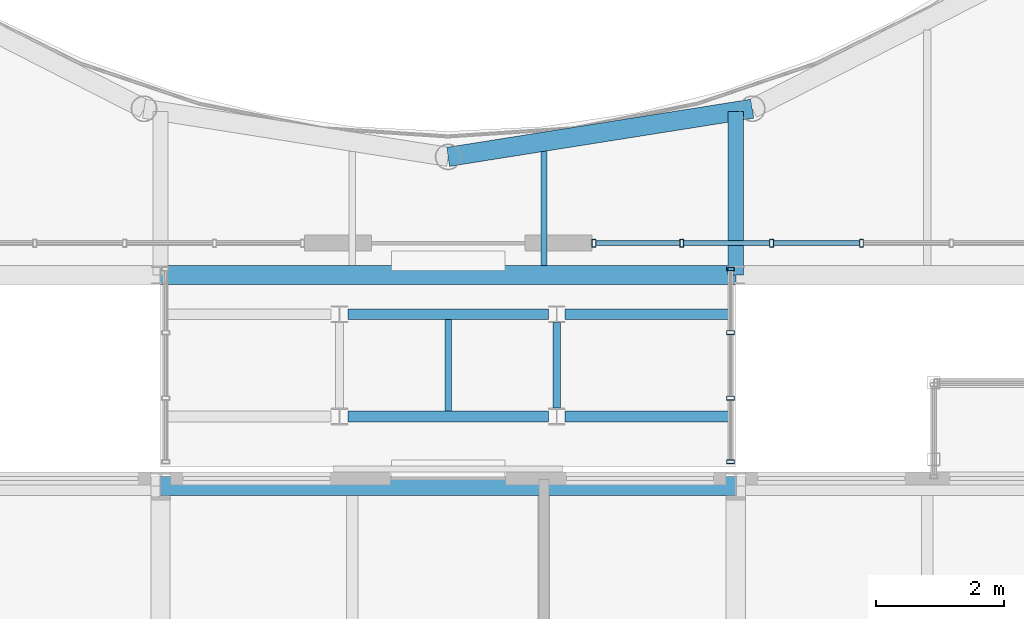
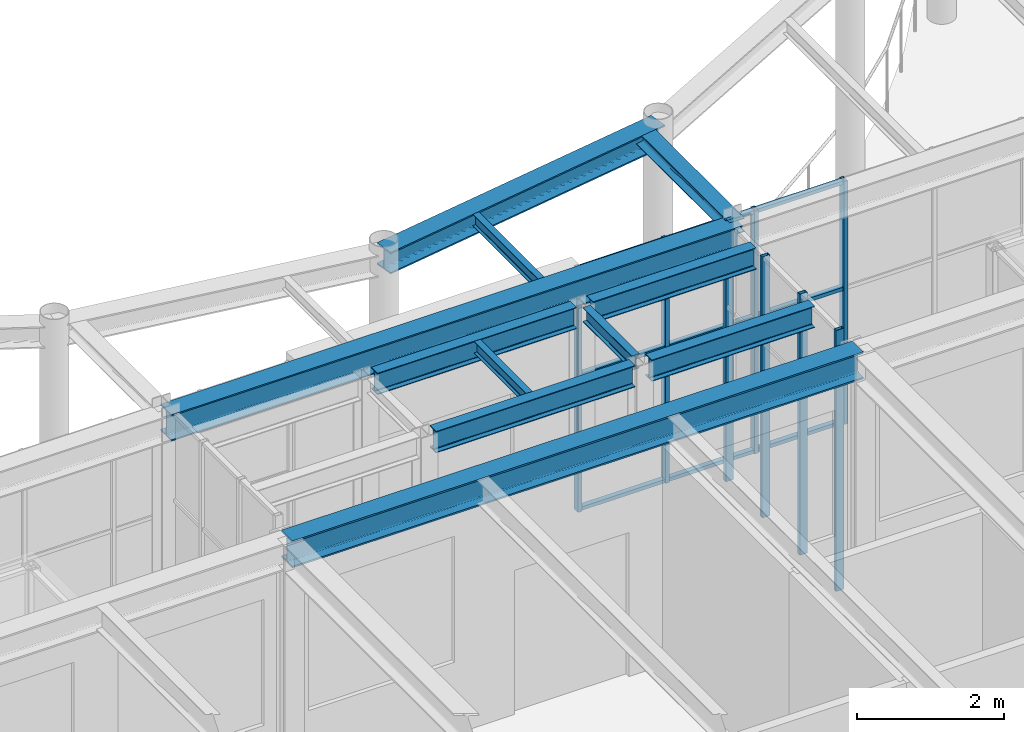
# One storey, part 31 of 70: 17 members, 11 beams, 2 elements without a shape of their own.
"""IFC4 building model written with IfcOpenShell, lengths in metres."""

from ifc_helpers import new_model, si_unit, direction, frame, origin, origin_2d, place, context, subcontext, project, spatial, hollow_rectangle, i_section, extrude, material, layer, layer_set, material_profile, profile_set, type_object, element, aggregate, save


model = new_model("IFC4")

# Units and contexts
model_context = context("Model", 3, precision=1e-05, world=origin(), true_north=direction((0.0, 1.0)))
body_context = subcontext(model_context, "Body", "Model", "MODEL_VIEW")
ifc_project = project(units=[si_unit("LENGTHUNIT", "METRE"), si_unit("AREAUNIT", "SQUARE_METRE"), si_unit("VOLUMEUNIT", "CUBIC_METRE"), si_unit("PLANEANGLEUNIT", "RADIAN"), si_unit("MASSUNIT", "GRAM", prefix="KILO")], contexts=[model_context])

# Site, building, storey
site_placement = place(None, origin())
site = spatial("IfcSite", under=ifc_project, at=site_placement, CompositionType="ELEMENT")
building_placement = place(site_placement, origin())
building = spatial("IfcBuilding", under=site, at=building_placement, Name="Kallimachos Central Library", CompositionType="ELEMENT")
storey_placement = place(building_placement, frame((0.0, 0.0, 18.89990234375)))
storey = spatial("IfcBuildingStorey", under=building, at=storey_placement, Name="L04", CompositionType="ELEMENT", Elevation=18.89990234375)

# Curtain wall, members
ifc_material_1 = material(Name="Aluminium and laminated glass", Category="aluminium")
curtain_wall_type_1 = type_object("IfcCurtainWallType", Name="Link glazed wall", PredefinedType="NOTDEFINED", material=ifc_material_1)
curtain_wall_1_placement = place(storey_placement, origin())
curtain_wall_1 = element("IfcCurtainWall", 1, at=curtain_wall_1_placement, inside=storey, type_object=curtain_wall_type_1, Name="Reading Link glazed wall L04", PredefinedType="NOTDEFINED")
ifc_material_2 = material(Name="Anodised aluminium", Category="aluminium")
ifc_material_profile_1 = material_profile(ifc_material_2, hollow_rectangle(XDim=0.06005859375, YDim=0.1201171875, WallThickness=0.00390625, at=origin_2d()), Name="ALU MULLION 60x120")
ifc_profile_set_1 = profile_set([ifc_material_profile_1], Name="Anodised aluminium")
member_type_1 = type_object("IfcMemberType", Name="ALU MULLION 60x120 mullion", PredefinedType="MULLION", material=ifc_profile_set_1)
member_1_placement = place(storey_placement, frame((92.419921875, 84.22998046875, 0.0), z_axis=(0.0, 0.0, 1.0), x_axis=(0.0, 1.0, 0.0)))
member_1 = element("IfcMember", 2, at=member_1_placement, type_object=member_type_1, Name="CW71 mullion 1", PredefinedType="MULLION", context=body_context, shape_type="SweptSolid", body=[
    extrude(hollow_rectangle(XDim=0.06005859375, YDim=0.1201171875, WallThickness=0.00390625, at=origin_2d()), origin(), (0.0, 0.0, 1.0), 4.35009765625),
])
member_2_placement = place(storey_placement, frame((92.419921875, 85.22509765625, 0.0), z_axis=(0.0, 0.0, 1.0), x_axis=(0.0, 1.0, 0.0)))
member_2 = element("IfcMember", 3, at=member_2_placement, type_object=member_type_1, Name="CW71 mullion 2", PredefinedType="MULLION", context=body_context, shape_type="SweptSolid", body=[
    extrude(hollow_rectangle(XDim=0.06005859375, YDim=0.1201171875, WallThickness=0.00390625, at=origin_2d()), origin(), (0.0, 0.0, 1.0), 4.35009765625),
])
member_3_placement = place(storey_placement, frame((92.419921875, 86.25, 0.0), z_axis=(0.0, 0.0, 1.0), x_axis=(0.0, 1.0, 0.0)))
member_3 = element("IfcMember", 4, at=member_3_placement, type_object=member_type_1, Name="CW71 mullion 3", PredefinedType="MULLION", context=body_context, shape_type="SweptSolid", body=[
    extrude(hollow_rectangle(XDim=0.06005859375, YDim=0.1201171875, WallThickness=0.00390625, at=origin_2d()), origin(), (0.0, 0.0, 1.0), 4.35009765625),
])
member_4_placement = place(storey_placement, frame((92.419921875, 87.2451171875, 0.0), z_axis=(0.0, 0.0, 1.0), x_axis=(0.0, 1.0, 0.0)))
member_4 = element("IfcMember", 5, at=member_4_placement, type_object=member_type_1, Name="CW71 mullion 4", PredefinedType="MULLION", context=body_context, shape_type="SweptSolid", body=[
    extrude(hollow_rectangle(XDim=0.06005859375, YDim=0.1201171875, WallThickness=0.00390625, at=origin_2d()), origin(), (0.0, 0.0, 1.0), 4.35009765625),
])
aggregate(curtain_wall_1, [member_1, member_2, member_3, member_4])

ifc_material_3 = material(Name="Anodised aluminium and laminated glass", Category="aluminium")
ifc_layer = layer(ifc_material_3, 0.159912109375)
ifc_layer_set = layer_set([ifc_layer], Name="Glass box curtain wall")
curtain_wall_type_2 = type_object("IfcCurtainWallType", Name="Glass box curtain wall", PredefinedType="NOTDEFINED", material=ifc_layer_set)
curtain_wall_2_placement = place(storey_placement, origin())
curtain_wall_2 = element("IfcCurtainWall", 6, at=curtain_wall_2_placement, inside=storey, type_object=curtain_wall_type_2, Name="Glass box curtain wall S L04", PredefinedType="NOTDEFINED")
ifc_material_4 = material(Name="Anodised aluminium", Category="aluminium")
ifc_material_profile_2 = material_profile(ifc_material_4, hollow_rectangle(XDim=0.06005859375, YDim=0.1201171875, WallThickness=0.00390625, at=origin_2d()), Name="ALU MULLION 60x120")
ifc_profile_set_2 = profile_set([ifc_material_profile_2], Name="Anodised aluminium")
member_type_2 = type_object("IfcMemberType", Name="Glass box mullion 60x120", PredefinedType="MULLION", material=ifc_profile_set_2)
member_5_placement = place(storey_placement, frame((90.280029296875, 87.64990234375, 0.0), z_axis=(0.0, 0.0, 1.0), x_axis=(1.0, 0.0, 0.0)))
member_5 = element("IfcMember", 7, at=member_5_placement, type_object=member_type_2, Name="CW29 mullion 1", PredefinedType="MULLION", context=body_context, shape_type="SweptSolid", body=[
    extrude(hollow_rectangle(XDim=0.06005859375, YDim=0.1201171875, WallThickness=0.00390625, at=origin_2d()), origin(), (0.0, 0.0, 1.0), 4.050048828125),
])
member_6_placement = place(storey_placement, frame((91.65625, 87.64990234375, 0.0), z_axis=(0.0, 0.0, 1.0), x_axis=(1.0, 0.0, 0.0)))
member_6 = element("IfcMember", 8, at=member_6_placement, type_object=member_type_2, Name="CW29 mullion 2", PredefinedType="MULLION", context=body_context, shape_type="SweptSolid", body=[
    extrude(hollow_rectangle(XDim=0.06005859375, YDim=0.1201171875, WallThickness=0.00390625, at=origin_2d()), origin(), (0.0, 0.0, 1.0), 4.050048828125),
])
member_7_placement = place(storey_placement, frame((93.0625, 87.64990234375, 0.0), z_axis=(0.0, 0.0, 1.0), x_axis=(1.0, 0.0, 0.0)))
member_7 = element("IfcMember", 9, at=member_7_placement, type_object=member_type_2, Name="CW29 mullion 3", PredefinedType="MULLION", context=body_context, shape_type="SweptSolid", body=[
    extrude(hollow_rectangle(XDim=0.06005859375, YDim=0.1201171875, WallThickness=0.00390625, at=origin_2d()), origin(), (0.0, 0.0, 1.0), 4.050048828125),
])
member_8_placement = place(storey_placement, frame((94.46875, 87.64990234375, 0.0), z_axis=(0.0, 0.0, 1.0), x_axis=(1.0, 0.0, 0.0)))
member_8 = element("IfcMember", 10, at=member_8_placement, type_object=member_type_2, Name="CW29 mullion 4", PredefinedType="MULLION", context=body_context, shape_type="SweptSolid", body=[
    extrude(hollow_rectangle(XDim=0.06005859375, YDim=0.1201171875, WallThickness=0.00390625, at=origin_2d()), origin(), (0.0, 0.0, 1.0), 4.050048828125),
])
ifc_material_5 = material(Name="Anodised aluminium", Category="aluminium")
ifc_material_profile_3 = material_profile(ifc_material_5, hollow_rectangle(XDim=0.06005859375, YDim=0.080078125, WallThickness=0.00390625, at=origin_2d()), Name="ALU TRANSOM 60x80")
ifc_profile_set_3 = profile_set([ifc_material_profile_3], Name="Anodised aluminium")
member_type_3 = type_object("IfcMemberType", Name="Glass box transom 60x80", PredefinedType="USERDEFINED", material=ifc_profile_set_3)
member_9_placement = place(storey_placement, frame((90.31005859375, 87.64990234375, 0.030029296875), z_axis=(1.0, 0.0, 0.0), x_axis=(0.0, 0.0, 1.0)))
member_9 = element("IfcMember", 11, at=member_9_placement, type_object=member_type_3, Name="CW29 transom 1.1", ObjectType="TRANSOM", PredefinedType="USERDEFINED", context=body_context, shape_type="SweptSolid", body=[
    extrude(hollow_rectangle(XDim=0.06005859375, YDim=0.080078125, WallThickness=0.00390625, at=origin_2d()), origin(), (0.0, 0.0, 1.0), 1.316162109375),
])
member_10_placement = place(storey_placement, frame((90.31005859375, 87.64990234375, 2.25), z_axis=(1.0, 0.0, 0.0), x_axis=(0.0, 0.0, 1.0)))
member_10 = element("IfcMember", 12, at=member_10_placement, type_object=member_type_3, Name="CW29 transom 1.2", ObjectType="TRANSOM", PredefinedType="USERDEFINED", context=body_context, shape_type="SweptSolid", body=[
    extrude(hollow_rectangle(XDim=0.06005859375, YDim=0.080078125, WallThickness=0.00390625, at=origin_2d()), origin(), (0.0, 0.0, 1.0), 1.316162109375),
])
member_11_placement = place(storey_placement, frame((90.31005859375, 87.64990234375, 4.02001953125), z_axis=(1.0, 0.0, 0.0), x_axis=(0.0, 0.0, 1.0)))
member_11 = element("IfcMember", 13, at=member_11_placement, type_object=member_type_3, Name="CW29 transom 1.3", ObjectType="TRANSOM", PredefinedType="USERDEFINED", context=body_context, shape_type="SweptSolid", body=[
    extrude(hollow_rectangle(XDim=0.06005859375, YDim=0.080078125, WallThickness=0.00390625, at=origin_2d()), origin(), (0.0, 0.0, 1.0), 1.316162109375),
])
member_12_placement = place(storey_placement, frame((91.686279296875, 87.64990234375, 0.030029296875), z_axis=(1.0, 0.0, 0.0), x_axis=(0.0, 0.0, 1.0)))
member_12 = element("IfcMember", 14, at=member_12_placement, type_object=member_type_3, Name="CW29 transom 2.1", ObjectType="TRANSOM", PredefinedType="USERDEFINED", context=body_context, shape_type="SweptSolid", body=[
    extrude(hollow_rectangle(XDim=0.06005859375, YDim=0.080078125, WallThickness=0.00390625, at=origin_2d()), origin(), (0.0, 0.0, 1.0), 1.34619140625),
])
member_13_placement = place(storey_placement, frame((91.686279296875, 87.64990234375, 2.25), z_axis=(1.0, 0.0, 0.0), x_axis=(0.0, 0.0, 1.0)))
member_13 = element("IfcMember", 15, at=member_13_placement, type_object=member_type_3, Name="CW29 transom 2.2", ObjectType="TRANSOM", PredefinedType="USERDEFINED", context=body_context, shape_type="SweptSolid", body=[
    extrude(hollow_rectangle(XDim=0.06005859375, YDim=0.080078125, WallThickness=0.00390625, at=origin_2d()), origin(), (0.0, 0.0, 1.0), 1.34619140625),
])
member_14_placement = place(storey_placement, frame((91.686279296875, 87.64990234375, 4.02001953125), z_axis=(1.0, 0.0, 0.0), x_axis=(0.0, 0.0, 1.0)))
member_14 = element("IfcMember", 16, at=member_14_placement, type_object=member_type_3, Name="CW29 transom 2.3", ObjectType="TRANSOM", PredefinedType="USERDEFINED", context=body_context, shape_type="SweptSolid", body=[
    extrude(hollow_rectangle(XDim=0.06005859375, YDim=0.080078125, WallThickness=0.00390625, at=origin_2d()), origin(), (0.0, 0.0, 1.0), 1.34619140625),
])
member_15_placement = place(storey_placement, frame((93.092529296875, 87.64990234375, 0.030029296875), z_axis=(1.0, 0.0, 0.0), x_axis=(0.0, 0.0, 1.0)))
member_15 = element("IfcMember", 17, at=member_15_placement, type_object=member_type_3, Name="CW29 transom 3.1", ObjectType="TRANSOM", PredefinedType="USERDEFINED", context=body_context, shape_type="SweptSolid", body=[
    extrude(hollow_rectangle(XDim=0.06005859375, YDim=0.080078125, WallThickness=0.00390625, at=origin_2d()), origin(), (0.0, 0.0, 1.0), 1.34619140625),
])
member_16_placement = place(storey_placement, frame((93.092529296875, 87.64990234375, 2.25), z_axis=(1.0, 0.0, 0.0), x_axis=(0.0, 0.0, 1.0)))
member_16 = element("IfcMember", 18, at=member_16_placement, type_object=member_type_3, Name="CW29 transom 3.2", ObjectType="TRANSOM", PredefinedType="USERDEFINED", context=body_context, shape_type="SweptSolid", body=[
    extrude(hollow_rectangle(XDim=0.06005859375, YDim=0.080078125, WallThickness=0.00390625, at=origin_2d()), origin(), (0.0, 0.0, 1.0), 1.34619140625),
])
member_17_placement = place(storey_placement, frame((93.092529296875, 87.64990234375, 4.02001953125), z_axis=(1.0, 0.0, 0.0), x_axis=(0.0, 0.0, 1.0)))
member_17 = element("IfcMember", 19, at=member_17_placement, type_object=member_type_3, Name="CW29 transom 3.3", ObjectType="TRANSOM", PredefinedType="USERDEFINED", context=body_context, shape_type="SweptSolid", body=[
    extrude(hollow_rectangle(XDim=0.06005859375, YDim=0.080078125, WallThickness=0.00390625, at=origin_2d()), origin(), (0.0, 0.0, 1.0), 1.34619140625),
])
aggregate(curtain_wall_2, [member_5, member_6, member_7, member_8, member_9, member_10, member_11, member_12, member_13, member_14, member_15, member_16, member_17])

# Beams
ifc_material_6 = material(Name="Steel S355J2", Category="steel")
ifc_material_profile_4 = material_profile(ifc_material_6, i_section(OverallWidth=0.239990234375, OverallDepth=0.22998046875, WebThickness=0.007568359375, FlangeThickness=0.011962890625, FilletRadius=0.02099609375, at=origin_2d()), Name="HEA 240")
ifc_profile_set_4 = profile_set([ifc_material_profile_4], Name="Steel S355J2")
beam_type_1 = type_object("IfcBeamType", Name="HEA 240 beam", PredefinedType="BEAM", material=ifc_profile_set_4)
beam_1_placement = place(storey_placement, frame((92.5, 87.14990234375, 4.235107421875), z_axis=(0.0, 1.0, 0.0), x_axis=(-1.0, 0.0, 0.0)))
element("IfcBeam", 20, at=beam_1_placement, inside=storey, type_object=beam_type_1, Name="V1-BEM-L04-030", PredefinedType="BEAM", context=body_context, shape_type="SweptSolid", body=[
    extrude(i_section(OverallWidth=0.239990234375, OverallDepth=0.22998046875, WebThickness=0.007568359375, FlangeThickness=0.011962890625, FilletRadius=0.02099609375, at=origin_2d()), origin(), (0.0, 0.0, 1.0), 2.562744140625),
])
ifc_material_7 = material(Name="Steel S355J2", Category="steel")
ifc_material_profile_5 = material_profile(ifc_material_7, i_section(OverallWidth=0.300048828125, OverallDepth=0.43994140625, WebThickness=0.011474609375, FlangeThickness=0.02099609375, FilletRadius=0.027099609375, at=origin_2d()), Name="HEA 450")
ifc_profile_set_5 = profile_set([ifc_material_profile_5], Name="Steel S355J2")
beam_type_2 = type_object("IfcBeamType", Name="HEA 450 beam", PredefinedType="BEAM", material=ifc_profile_set_5)
beam_2_placement = place(storey_placement, frame((83.5, 87.14990234375, 4.130126953125), z_axis=(1.0, 0.0, 0.0), x_axis=(0.0, 1.0, 0.0)))
element("IfcBeam", 21, at=beam_2_placement, inside=storey, type_object=beam_type_2, Name="V1-BEM-L04-040", PredefinedType="BEAM", context=body_context, shape_type="SweptSolid", body=[
    extrude(i_section(OverallWidth=0.300048828125, OverallDepth=0.43994140625, WebThickness=0.011474609375, FlangeThickness=0.02099609375, FilletRadius=0.027099609375, at=origin_2d()), origin(), (0.0, 0.0, 1.0), 9.0),
])
ifc_material_8 = material(Name="Steel S355J2", Category="steel")
ifc_material_profile_6 = material_profile(ifc_material_8, i_section(OverallWidth=0.300048828125, OverallDepth=0.360107421875, WebThickness=0.012451171875, FlangeThickness=0.0224609375, FilletRadius=0.027099609375, at=origin_2d()), Name="HEB 360")
ifc_profile_set_6 = profile_set([ifc_material_profile_6], Name="Steel S355J2")
beam_type_3 = type_object("IfcBeamType", Name="HEB 360 beam", PredefinedType="BEAM", material=ifc_profile_set_6)
beam_3_placement = place(storey_placement, frame((88.0, 89.0, 4.170166015625), z_axis=(0.987690137413, 0.156423119957, 0.0), x_axis=(-0.156423119957, 0.987690137413, 0.0)))
element("IfcBeam", 22, at=beam_3_placement, inside=storey, type_object=beam_type_3, Name="V1-BEM-L04-016", PredefinedType="BEAM", context=body_context, shape_type="SweptSolid", body=[
    extrude(i_section(OverallWidth=0.300048828125, OverallDepth=0.360107421875, WebThickness=0.012451171875, FlangeThickness=0.0224609375, FilletRadius=0.027099609375, at=origin_2d()), origin(), (0.0, 0.0, 1.0), 4.818115234375),
])
ifc_material_9 = material(Name="Steel S355J2", Category="steel")
ifc_material_profile_7 = material_profile(ifc_material_9, i_section(OverallWidth=0.300048828125, OverallDepth=0.449951171875, WebThickness=0.013916015625, FlangeThickness=0.02587890625, FilletRadius=0.027099609375, at=origin_2d()), Name="HEB 450")
ifc_profile_set_7 = profile_set([ifc_material_profile_7], Name="Steel S355J2")
beam_type_4 = type_object("IfcBeamType", Name="HEB 450 beam", PredefinedType="BEAM", material=ifc_profile_set_7)
beam_4_placement = place(storey_placement, frame((83.5, 83.85009765625, 4.025146484375), z_axis=(1.0, 0.0, 0.0), x_axis=(0.0, 1.0, 0.0)))
element("IfcBeam", 23, at=beam_4_placement, inside=storey, type_object=beam_type_4, Name="V4-BEM-L04-006", PredefinedType="BEAM", context=body_context, shape_type="SweptSolid", body=[
    extrude(i_section(OverallWidth=0.300048828125, OverallDepth=0.449951171875, WebThickness=0.013916015625, FlangeThickness=0.02587890625, FilletRadius=0.027099609375, at=origin_2d()), origin(), (0.0, 0.0, 1.0), 9.0),
])
ifc_material_10 = material(Name="Steel S355J2", Category="steel")
ifc_material_profile_8 = material_profile(ifc_material_10, i_section(OverallWidth=0.10009765625, OverallDepth=0.199951171875, WebThickness=0.005615234375, FlangeThickness=0.008544921875, FilletRadius=0.011962890625, at=origin_2d()), Name="IPE 200")
ifc_profile_set_8 = profile_set([ifc_material_profile_8], Name="Steel S355J2")
beam_type_5 = type_object("IfcBeamType", Name="IPE 200 beam", PredefinedType="BEAM", material=ifc_profile_set_8)
beam_5_placement = place(storey_placement, frame((89.5, 87.300048828125, 4.25), z_axis=(0.0, 1.0, 0.0), x_axis=(-1.0, 0.0, 0.0)))
element("IfcBeam", 24, at=beam_5_placement, inside=storey, type_object=beam_type_5, Name="V1-BEM-L04-059", PredefinedType="BEAM", context=body_context, shape_type="SweptSolid", body=[
    extrude(i_section(OverallWidth=0.10009765625, OverallDepth=0.199951171875, WebThickness=0.005615234375, FlangeThickness=0.008544921875, FilletRadius=0.011962890625, at=origin_2d()), origin(), (0.0, 0.0, 1.0), 1.78564453125),
])
beam_6_placement = place(storey_placement, frame((88.0, 85.0224609375, 4.25), z_axis=(0.0, 1.0, 0.0), x_axis=(-1.0, 0.0, 0.0)))
element("IfcBeam", 25, at=beam_6_placement, inside=storey, type_object=beam_type_5, Name="links-BEM-L04-007", PredefinedType="BEAM", context=body_context, shape_type="SweptSolid", body=[
    extrude(i_section(OverallWidth=0.10009765625, OverallDepth=0.199951171875, WebThickness=0.005615234375, FlangeThickness=0.008544921875, FilletRadius=0.011962890625, at=origin_2d()), origin(), (0.0, 0.0, 1.0), 1.429931640625),
])
ifc_material_11 = material(Name="Steel S355J2", Category="steel")
ifc_material_profile_9 = material_profile(ifc_material_11, i_section(OverallWidth=0.1201171875, OverallDepth=0.239990234375, WebThickness=0.006103515625, FlangeThickness=0.009765625, FilletRadius=0.014892578125, at=origin_2d()), Name="IPE 240")
ifc_profile_set_9 = profile_set([ifc_material_profile_9], Name="Steel S355J2")
beam_type_6 = type_object("IfcBeamType", Name="IPE 240 beam", PredefinedType="BEAM", material=ifc_profile_set_9)
beam_7_placement = place(storey_placement, frame((89.699951171875, 85.0673828125, 4.22998046875), z_axis=(0.0, 1.0, 0.0), x_axis=(-1.0, 0.0, 0.0)))
element("IfcBeam", 26, at=beam_7_placement, inside=storey, type_object=beam_type_6, Name="links-BEM-L04-009", PredefinedType="BEAM", context=body_context, shape_type="SweptSolid", body=[
    extrude(i_section(OverallWidth=0.1201171875, OverallDepth=0.239990234375, WebThickness=0.006103515625, FlangeThickness=0.009765625, FilletRadius=0.014892578125, at=origin_2d()), origin(), (0.0, 0.0, 1.0), 1.340087890625),
])
ifc_material_12 = material(Name="Steel S355J2", Category="steel")
ifc_material_profile_10 = material_profile(ifc_material_12, i_section(OverallWidth=0.169921875, OverallDepth=0.360107421875, WebThickness=0.008056640625, FlangeThickness=0.0126953125, FilletRadius=0.01806640625, at=origin_2d()), Name="IPE 360")
ifc_profile_set_10 = profile_set([ifc_material_profile_10], Name="Steel S355J2")
beam_type_7 = type_object("IfcBeamType", Name="IPE 360 beam", PredefinedType="BEAM", material=ifc_profile_set_10)
beam_8_placement = place(storey_placement, frame((86.429931640625, 84.9375, 4.170166015625), z_axis=(1.0, 0.0, 0.0), x_axis=(0.0, 1.0, 0.0)))
element("IfcBeam", 27, at=beam_8_placement, inside=storey, type_object=beam_type_7, Name="links-BEM-L04-002", PredefinedType="BEAM", context=body_context, shape_type="SweptSolid", body=[
    extrude(i_section(OverallWidth=0.169921875, OverallDepth=0.360107421875, WebThickness=0.008056640625, FlangeThickness=0.0126953125, FilletRadius=0.01806640625, at=origin_2d()), origin(), (0.0, 0.0, 1.0), 3.14013671875),
])
beam_9_placement = place(storey_placement, frame((89.830078125, 84.9375, 4.170166015625), z_axis=(1.0, 0.0, 0.0), x_axis=(0.0, 1.0, 0.0)))
element("IfcBeam", 28, at=beam_9_placement, inside=storey, type_object=beam_type_7, Name="links-BEM-L04-003", PredefinedType="BEAM", context=body_context, shape_type="SweptSolid", body=[
    extrude(i_section(OverallWidth=0.169921875, OverallDepth=0.360107421875, WebThickness=0.008056640625, FlangeThickness=0.0126953125, FilletRadius=0.01806640625, at=origin_2d()), origin(), (0.0, 0.0, 1.0), 2.56982421875),
])
beam_10_placement = place(storey_placement, frame((86.429931640625, 86.53759765625, 4.170166015625), z_axis=(1.0, 0.0, 0.0), x_axis=(0.0, 1.0, 0.0)))
element("IfcBeam", 29, at=beam_10_placement, inside=storey, type_object=beam_type_7, Name="links-BEM-L04-005", PredefinedType="BEAM", context=body_context, shape_type="SweptSolid", body=[
    extrude(i_section(OverallWidth=0.169921875, OverallDepth=0.360107421875, WebThickness=0.008056640625, FlangeThickness=0.0126953125, FilletRadius=0.01806640625, at=origin_2d()), origin(), (0.0, 0.0, 1.0), 3.14013671875),
])
beam_11_placement = place(storey_placement, frame((89.830078125, 86.53759765625, 4.170166015625), z_axis=(1.0, 0.0, 0.0), x_axis=(0.0, 1.0, 0.0)))
element("IfcBeam", 30, at=beam_11_placement, inside=storey, type_object=beam_type_7, Name="links-BEM-L04-006", PredefinedType="BEAM", context=body_context, shape_type="SweptSolid", body=[
    extrude(i_section(OverallWidth=0.169921875, OverallDepth=0.360107421875, WebThickness=0.008056640625, FlangeThickness=0.0126953125, FilletRadius=0.01806640625, at=origin_2d()), origin(), (0.0, 0.0, 1.0), 2.56982421875),
])

save(model, "model.ifc")
